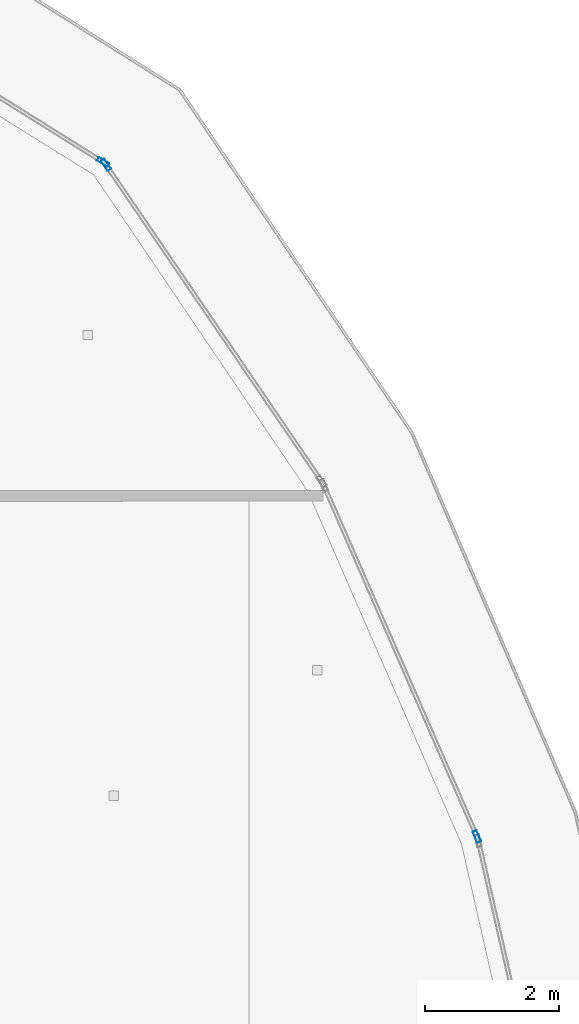
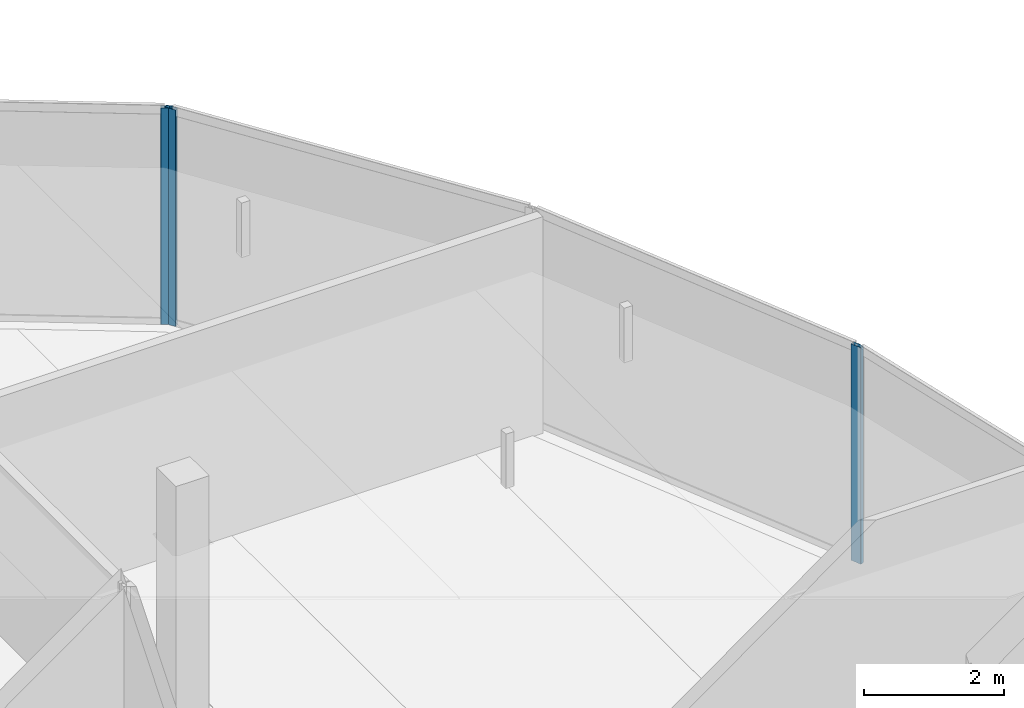
# One storey, part 19 of 36: 3 members, 3 elements without a shape of their own.
"""IFC4 building model written with IfcOpenShell, lengths in metres."""

from ifc_helpers import new_model, si_unit, direction, frame, origin, origin_2d, place, context, subcontext, project, spatial, hollow_rectangle, extrude, material, layer, layer_set, material_profile, profile_set, type_object, element, aggregate, save


model = new_model("IFC4")

# Units and contexts
model_context = context("Model", 3, precision=1e-05, world=origin(), true_north=direction((0.0, 1.0)))
body_context = subcontext(model_context, "Body", "Model", "MODEL_VIEW")
ifc_project = project(units=[si_unit("LENGTHUNIT", "METRE"), si_unit("AREAUNIT", "SQUARE_METRE"), si_unit("VOLUMEUNIT", "CUBIC_METRE"), si_unit("PLANEANGLEUNIT", "RADIAN"), si_unit("MASSUNIT", "GRAM", prefix="KILO")], contexts=[model_context])

# Site, building, storey
site_placement = place(None, origin())
site = spatial("IfcSite", under=ifc_project, at=site_placement, CompositionType="ELEMENT")
building_placement = place(site_placement, origin())
building = spatial("IfcBuilding", under=site, at=building_placement, Name="Qorvath Tower", CompositionType="ELEMENT")
storey_placement = place(building_placement, frame((0.0, 0.0, 241.5)))
storey = spatial("IfcBuildingStorey", under=building, at=storey_placement, Name="L56", CompositionType="ELEMENT", Elevation=241.5)

# Curtain wall, member
ifc_material_1 = material(Name="Anodised aluminium and triple low-E glass", Category="aluminium")
ifc_layer = layer(ifc_material_1, 0.179931640625)
ifc_layer_set = layer_set([ifc_layer], Name="CW-SYS-3")
curtain_wall_type = type_object("IfcCurtainWallType", Name="CW-SYS-3", PredefinedType="NOTDEFINED", material=ifc_layer_set)
curtain_wall_1_placement = place(storey_placement, origin())
curtain_wall_1 = element("IfcCurtainWall", 1, at=curtain_wall_1_placement, inside=storey, type_object=curtain_wall_type, Name="Curtain Wall CW-3 CW-T-L56-12.1", PredefinedType="NOTDEFINED")
ifc_material_2 = material(Name="Anodised aluminium 6063-T6", Category="aluminium")
ifc_material_profile = material_profile(ifc_material_2, hollow_rectangle(XDim=0.06494140625, YDim=0.179931640625, WallThickness=0.00341796875, InnerFilletRadius=0.00341796875, OuterFilletRadius=0.007080078125, at=origin_2d()), Name="CWM 180x65")
ifc_profile_set = profile_set([ifc_material_profile], Name="Anodised aluminium 6063-T6")
member_type = type_object("IfcMemberType", Name="CWM-180", PredefinedType="MULLION", material=ifc_profile_set)
member_1_placement = place(storey_placement, frame((-1.67529296875, 9.70361328125, 0.0), z_axis=(0.0, 0.0, 1.0), x_axis=(-0.916700023631, -0.399576108738, 0.0)))
member_1 = element("IfcMember", 2, at=member_1_placement, type_object=member_type, Name="CW-3 mullion 1", PredefinedType="MULLION", context=body_context, shape_type="SweptSolid", body=[
    extrude(hollow_rectangle(XDim=0.06494140625, YDim=0.179931640625, WallThickness=0.00341796875, InnerFilletRadius=0.00341796875, OuterFilletRadius=0.007080078125, at=origin_2d()), origin(), (0.0, 0.0, 1.0), 3.780029296875),
])
aggregate(curtain_wall_1, [member_1])

curtain_wall_2_placement = place(storey_placement, origin())
curtain_wall_2 = element("IfcCurtainWall", 3, at=curtain_wall_2_placement, inside=storey, type_object=curtain_wall_type, Name="Curtain Wall CW-3 CW-T-L56-13.1", PredefinedType="NOTDEFINED")
member_2_placement = place(storey_placement, frame((-7.212646484375, 19.730712890625, 0.0), z_axis=(0.0, 0.0, 1.0), x_axis=(-0.826431361544, -0.563037480685, 0.0)))
member_2 = element("IfcMember", 4, at=member_2_placement, type_object=member_type, Name="CW-3 mullion 2", PredefinedType="MULLION", context=body_context, shape_type="SweptSolid", body=[
    extrude(hollow_rectangle(XDim=0.06494140625, YDim=0.179931640625, WallThickness=0.00341796875, InnerFilletRadius=0.00341796875, OuterFilletRadius=0.007080078125, at=origin_2d()), origin(), (0.0, 0.0, 1.0), 3.780029296875),
])
aggregate(curtain_wall_2, [member_2])

curtain_wall_3_placement = place(storey_placement, origin())
curtain_wall_3 = element("IfcCurtainWall", 5, at=curtain_wall_3_placement, inside=storey, type_object=curtain_wall_type, Name="Curtain Wall CW-3 CW-T-L56-14.1", PredefinedType="NOTDEFINED")
member_3_placement = place(storey_placement, frame((-7.258544921875, 19.77490234375, 0.0), z_axis=(0.0, 0.0, 1.0), x_axis=(-0.530487138359, -0.847692984538, 0.0)))
member_3 = element("IfcMember", 6, at=member_3_placement, type_object=member_type, Name="CW-3 mullion 1", PredefinedType="MULLION", context=body_context, shape_type="SweptSolid", body=[
    extrude(hollow_rectangle(XDim=0.06494140625, YDim=0.179931640625, WallThickness=0.00341796875, InnerFilletRadius=0.00341796875, OuterFilletRadius=0.007080078125, at=origin_2d()), origin(), (0.0, 0.0, 1.0), 3.780029296875),
])
aggregate(curtain_wall_3, [member_3])

save(model, "model.ifc")
